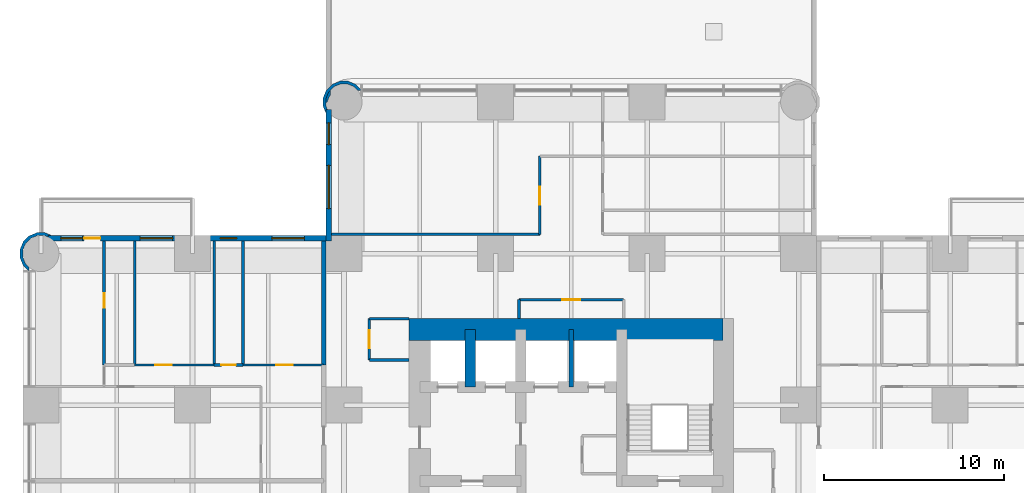
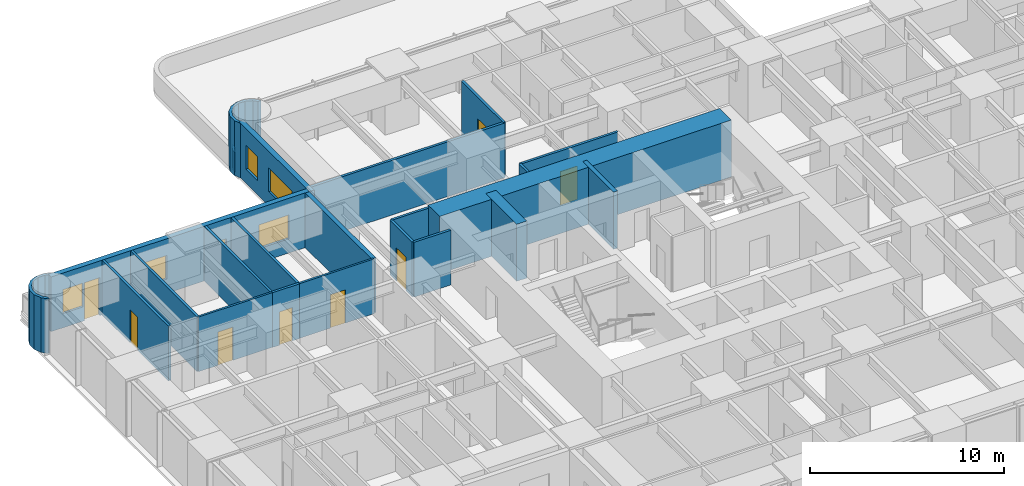
# One storey, part 10 of 14: 23 walls, 8 doors, 6 windows, 14 openings.
"""IFC4 building model written with IfcOpenShell, lengths in metres."""

from ifc_helpers import new_model, si_unit, direction, frame, frame_2d, origin, place, context, subcontext, project, spatial, polyline, rectangle, outline, extrude, material, layer, layer_set, type_object, element, fill, save


model = new_model("IFC4")

# Units and contexts
model_context = context("Model", 3, precision=1e-05, world=origin(), true_north=direction((0.0, 1.0)))
body_context = subcontext(model_context, "Body", "Model", "MODEL_VIEW")
ifc_project = project(units=[si_unit("LENGTHUNIT", "METRE"), si_unit("AREAUNIT", "SQUARE_METRE"), si_unit("VOLUMEUNIT", "CUBIC_METRE"), si_unit("PLANEANGLEUNIT", "RADIAN"), si_unit("MASSUNIT", "GRAM", prefix="KILO")], contexts=[model_context])

# Site, building, storey
site_placement = place(None, origin())
site = spatial("IfcSite", under=ifc_project, at=site_placement, CompositionType="ELEMENT")
building_placement = place(site_placement, origin())
building = spatial("IfcBuilding", under=site, at=building_placement, Name="Torre Alcanfor", CompositionType="ELEMENT")
storey_placement = place(building_placement, frame((0.0, 0.0, 108.89990234375)))
storey = spatial("IfcBuildingStorey", under=building, at=storey_placement, Name="L27", CompositionType="ELEMENT", Elevation=108.89990234375)

# Wall
ifc_material_1 = material(Name="Concrete block masonry, hollow blocks NMX-C-404 9 MPa", Category="masonry")
ifc_layer_1 = layer(ifc_material_1, 0.25)
ifc_layer_set_1 = layer_set([ifc_layer_1], Name="Apartment entrance wall 250 EI 60")
wall_type_1 = type_object("IfcWallType", Name="Apartment entrance wall 250 EI 60", PredefinedType="PARTITIONING", material=ifc_layer_set_1)
wall_1_placement = place(storey_placement, frame((15.675048828125, 35.8291015625, 0.0), z_axis=(0.0, 0.0, 1.0), x_axis=(0.0, 1.0, 0.0)))
element("IfcWall", 1, at=wall_1_placement, inside=storey, type_object=wall_type_1, Name="Partition L27-CORR / L27-W2-BED3", PredefinedType="PARTITIONING", context=body_context, shape_type="SweptSolid", body=[
    extrude(rectangle(XDim=6.870849609375, YDim=0.25, at=frame_2d((3.435546875, 0.0))), origin(), (0.0, 0.0, 1.0), 3.4501953125),
])

# Wall, opening, door
ifc_material_2 = material(Name="Gypsum board on steel studs", Category="steel")
ifc_layer_2 = layer(ifc_material_2, 0.1201171875)
ifc_layer_set_2 = layer_set([ifc_layer_2], Name="Apartment partition 120")
wall_type_2 = type_object("IfcWallType", Name="Apartment partition 120", PredefinedType="PARTITIONING", material=ifc_layer_set_2)
wall_2_placement = place(storey_placement, frame((11.199951171875, 35.8291015625, 0.0), z_axis=(0.0, 0.0, 1.0), x_axis=(1.0, 0.0, 0.0)))
wall_2 = element("IfcWall", 2, at=wall_2_placement, inside=storey, type_object=wall_type_2, Name="Partition L27-W2-HALL / L27-W2-BED3", PredefinedType="PARTITIONING", context=body_context, shape_type="SweptSolid", body=[
    extrude(rectangle(XDim=4.47509765625, YDim=0.1201171875, at=frame_2d((2.237548828125, 0.0))), origin(), (0.0, 0.0, 1.0), 3.4501953125),
])
opening_1_placement = place(wall_2_placement, frame((1.85009765625, 0.0, 0.0)))
opening_1 = element("IfcOpeningElement", 3, at=opening_1_placement, cuts=wall_2, Name="Opening D-R1", PredefinedType="OPENING", context=body_context, shape_type="SweptSolid", body=[
    extrude(rectangle(XDim=0.89990234375, YDim=2.10009765625, at=frame_2d((0.449951171875, 1.050048828125))), frame((0.0, 0.070068359375, 0.0), z_axis=(0.0, -1.0, 0.0), x_axis=(1.0, 0.0, 0.0)), (0.0, 0.0, 1.0), 0.14013671875),
])
ifc_material_3 = material(Name="Timber", Category="wood")
door_type_1 = type_object("IfcDoorType", Name="Internal door 900x2100", OperationType="SINGLE_SWING_LEFT", PredefinedType="DOOR", material=ifc_material_3)
door_1_placement = place(opening_1_placement, origin())
door_1 = element("IfcDoor", 4, at=door_1_placement, inside=storey, type_object=door_type_1, Name="Door L27-W2 bed3", OperationType="SINGLE_SWING_RIGHT", OverallHeight=2.10009765625, OverallWidth=0.89990234375, PredefinedType="DOOR", context=body_context, shape_type="SweptSolid", body=[
    extrude(rectangle(XDim=0.89990234375, YDim=2.10009765625, at=frame_2d((0.449951171875, 1.050048828125))), frame((0.0, 0.02490234375, 0.0), z_axis=(0.0, -1.0, 0.0), x_axis=(1.0, 0.0, 0.0)), (0.0, 0.0, 1.0), 0.050048828125),
])
fill(opening_1, door_1)

wall_3_placement = place(storey_placement, frame((5.199951171875, 35.8291015625, 0.0), z_axis=(0.0, 0.0, 1.0), x_axis=(1.0, 0.0, 0.0)))
wall_3 = element("IfcWall", 5, at=wall_3_placement, inside=storey, type_object=wall_type_2, Name="Partition L27-W2-HALL / L27-W2-BED2", PredefinedType="PARTITIONING", context=body_context, shape_type="SweptSolid", body=[
    extrude(rectangle(XDim=4.400146484375, YDim=0.1201171875, at=frame_2d((2.2001953125, 0.0))), origin(), (0.0, 0.0, 1.0), 3.4501953125),
])
opening_2_placement = place(wall_3_placement, frame((1.14990234375, 0.0, 0.0)))
opening_2 = element("IfcOpeningElement", 6, at=opening_2_placement, cuts=wall_3, Name="Opening D-R1", PredefinedType="OPENING", context=body_context, shape_type="SweptSolid", body=[
    extrude(rectangle(XDim=0.89990234375, YDim=2.10009765625, at=frame_2d((0.449951171875, 1.050048828125))), frame((0.0, 0.070068359375, 0.0), z_axis=(0.0, -1.0, 0.0), x_axis=(1.0, 0.0, 0.0)), (0.0, 0.0, 1.0), 0.14013671875),
])
door_2_placement = place(opening_2_placement, origin())
door_2 = element("IfcDoor", 7, at=door_2_placement, inside=storey, type_object=door_type_1, Name="Door L27-W2 bed2", OperationType="SINGLE_SWING_LEFT", OverallHeight=2.10009765625, OverallWidth=0.89990234375, PredefinedType="DOOR", context=body_context, shape_type="SweptSolid", body=[
    extrude(rectangle(XDim=0.89990234375, YDim=2.10009765625, at=frame_2d((0.449951171875, 1.050048828125))), frame((0.0, 0.02490234375, 0.0), z_axis=(0.0, -1.0, 0.0), x_axis=(1.0, 0.0, 0.0)), (0.0, 0.0, 1.0), 0.050048828125),
])
fill(opening_2, door_2)

# Walls
ifc_material_4 = material(Name="Concrete f'c 70 MPa", Category="concrete")
ifc_layer_3 = layer(ifc_material_4, 0.60009765625)
ifc_layer_set_3 = layer_set([ifc_layer_3], Name="Core inner wall 600 f'c70")
wall_type_3 = type_object("IfcWallType", Name="Core inner wall 600 f'c70", PredefinedType="SHEAR", material=ifc_layer_set_3)
wall_4_placement = place(storey_placement, frame((23.800048828125, 34.60009765625, 0.0), z_axis=(0.0, 0.0, 1.0), x_axis=(0.0, 1.0, 0.0)))
element("IfcWall", 8, at=wall_4_placement, inside=storey, type_object=wall_type_3, Name="Core wall X238 L27", PredefinedType="SHEAR", context=body_context, shape_type="SweptSolid", body=[
    extrude(rectangle(XDim=3.199951171875, YDim=0.60009765625, at=frame_2d((1.60009765625, 0.0))), origin(), (0.0, 0.0, 1.0), 3.60009765625),
])
ifc_material_5 = material(Name="Concrete f'c 70 MPa", Category="concrete")
ifc_layer_4 = layer(ifc_material_5, 0.25)
ifc_layer_set_4 = layer_set([ifc_layer_4], Name="Core shaft wall 250 f'c70")
wall_type_4 = type_object("IfcWallType", Name="Core shaft wall 250 f'c70", PredefinedType="SHEAR", material=ifc_layer_set_4)
wall_5_placement = place(storey_placement, frame((29.39990234375, 34.60009765625, 0.0), z_axis=(0.0, 0.0, 1.0), x_axis=(0.0, 1.0, 0.0)))
element("IfcWall", 9, at=wall_5_placement, inside=storey, type_object=wall_type_4, Name="Core wall X294N L27", PredefinedType="SHEAR", context=body_context, shape_type="SweptSolid", body=[
    extrude(rectangle(XDim=3.199951171875, YDim=0.25, at=frame_2d((1.60009765625, 0.0))), origin(), (0.0, 0.0, 1.0), 3.60009765625),
])
ifc_material_6 = material(Name="Concrete f'c 70 MPa", Category="concrete")
ifc_layer_5 = layer(ifc_material_6, 1.199951171875)
ifc_layer_set_5 = layer_set([ifc_layer_5], Name="Core wall 1200 f'c70")
wall_type_5 = type_object("IfcWallType", Name="Core wall 1200 f'c70", PredefinedType="SHEAR", material=ifc_layer_set_5)
wall_6_placement = place(storey_placement, frame((37.800048828125, 37.800048828125, 0.0), z_axis=(0.0, 0.0, 1.0), x_axis=(-1.0, 0.0, 0.0)))
element("IfcWall", 10, at=wall_6_placement, inside=storey, type_object=wall_type_5, Name="Core wall OUT-N L27", PredefinedType="SHEAR", context=body_context, shape_type="SweptSolid", body=[
    extrude(rectangle(XDim=17.400146484375, YDim=1.199951171875, at=frame_2d((8.7001953125, 0.0))), origin(), (0.0, 0.0, 1.0), 3.60009765625),
])

# Wall, openings, door, windows
ifc_material_7 = material(Name="Limestone cladding", Category="masonry")
ifc_layer_6 = layer(ifc_material_7, 0.0400390625, Name="Facing")
ifc_material_8 = material(Name="Ventilated air cavity")
ifc_layer_7 = layer(ifc_material_8, 0.02001953125, ventilated=True, Name="Ventilated joint")
ifc_material_9 = material(Name="Mineral wool insulation", Category="insulation")
ifc_layer_8 = layer(ifc_material_9, 0.10009765625, Name="Insulation")
ifc_material_10 = material(Name="Concrete f'c 35 MPa", Category="concrete")
ifc_layer_9 = layer(ifc_material_10, 0.139892578125, Name="Backing")
ifc_layer_set_6 = layer_set([ifc_layer_6, ifc_layer_7, ifc_layer_8, ifc_layer_9], Name="External wall stone-clad 300")
wall_type_6 = type_object("IfcWallType", Name="External wall stone-clad 300", PredefinedType="SOLIDWALL", material=ifc_layer_set_6)
wall_7_placement = place(storey_placement, frame((15.800048828125, 42.85009765625, 0.0), z_axis=(0.0, 0.0, 1.0), x_axis=(-1.0, 0.0, 0.0)))
wall_7 = element("IfcWall", 11, at=wall_7_placement, inside=storey, type_object=wall_type_6, Name="External wall L27 1", PredefinedType="SOLIDWALL", context=body_context, shape_type="SweptSolid", body=[
    extrude(rectangle(XDim=15.400146484375, YDim=0.300048828125, at=frame_2d((7.7001953125, 0.0))), origin(), (0.0, 0.0, 1.0), 3.4501953125),
])
opening_3_placement = place(wall_7_placement, frame((1.199951171875, 0.0, 0.89990234375)))
opening_3 = element("IfcOpeningElement", 12, at=opening_3_placement, cuts=wall_7, Name="Opening W2", PredefinedType="OPENING", context=body_context, shape_type="SweptSolid", body=[
    extrude(rectangle(XDim=1.800048828125, YDim=1.5, at=frame_2d((0.89990234375, 0.75))), frame((0.0, 0.159912109375, 0.0), z_axis=(0.0, -1.0, 0.0), x_axis=(1.0, 0.0, 0.0)), (0.0, 0.0, 1.0), 0.320068359375),
])
opening_4_placement = place(wall_7_placement, frame((4.949951171875, 0.0, 1.5)))
opening_4 = element("IfcOpeningElement", 13, at=opening_4_placement, cuts=wall_7, Name="Opening W3", PredefinedType="OPENING", context=body_context, shape_type="SweptSolid", body=[
    extrude(rectangle(XDim=0.89990234375, YDim=0.699951171875, at=frame_2d((0.449951171875, 0.35009765625))), frame((0.0, 0.159912109375, 0.0), z_axis=(0.0, -1.0, 0.0), x_axis=(1.0, 0.0, 0.0)), (0.0, 0.0, 1.0), 0.320068359375),
])
opening_5_placement = place(wall_7_placement, frame((8.5, 0.0, 0.89990234375)))
opening_5 = element("IfcOpeningElement", 14, at=opening_5_placement, cuts=wall_7, Name="Opening W2", PredefinedType="OPENING", context=body_context, shape_type="SweptSolid", body=[
    extrude(rectangle(XDim=1.800048828125, YDim=1.5, at=frame_2d((0.89990234375, 0.75))), frame((0.0, 0.159912109375, 0.0), z_axis=(0.0, -1.0, 0.0), x_axis=(1.0, 0.0, 0.0)), (0.0, 0.0, 1.0), 0.320068359375),
])
opening_6_placement = place(wall_7_placement, frame((12.5, 0.0, 0.0)))
opening_6 = element("IfcOpeningElement", 15, at=opening_6_placement, cuts=wall_7, Name="Opening D-B1", PredefinedType="OPENING", context=body_context, shape_type="SweptSolid", body=[
    extrude(rectangle(XDim=0.89990234375, YDim=2.39990234375, at=frame_2d((0.449951171875, 1.199951171875))), frame((0.0, 0.159912109375, 0.0), z_axis=(0.0, -1.0, 0.0), x_axis=(1.0, 0.0, 0.0)), (0.0, 0.0, 1.0), 0.320068359375),
])
opening_7_placement = place(wall_7_placement, frame((13.5, 0.0, 0.89990234375)))
opening_7 = element("IfcOpeningElement", 16, at=opening_7_placement, cuts=wall_7, Name="Opening W4", PredefinedType="OPENING", context=body_context, shape_type="SweptSolid", body=[
    extrude(rectangle(XDim=1.199951171875, YDim=1.5, at=frame_2d((0.60009765625, 0.75))), frame((0.0, 0.159912109375, 0.0), z_axis=(0.0, -1.0, 0.0), x_axis=(1.0, 0.0, 0.0)), (0.0, 0.0, 1.0), 0.320068359375),
])
ifc_material_11 = material(Name="Aluminium and glass", Category="aluminium")
door_type_2 = type_object("IfcDoorType", Name="Balcony door glazed 900x2400", OperationType="SINGLE_SWING_LEFT", PredefinedType="DOOR", material=ifc_material_11)
door_3_placement = place(opening_6_placement, origin())
door_3 = element("IfcDoor", 17, at=door_3_placement, inside=storey, type_object=door_type_2, Name="Balcony door L27-W2", OperationType="SINGLE_SWING_LEFT", OverallHeight=2.39990234375, OverallWidth=0.89990234375, PredefinedType="DOOR", context=body_context, shape_type="SweptSolid", body=[
    extrude(rectangle(XDim=0.89990234375, YDim=2.39990234375, at=frame_2d((0.449951171875, 1.199951171875))), frame((0.0, 0.02490234375, 0.0), z_axis=(0.0, -1.0, 0.0), x_axis=(1.0, 0.0, 0.0)), (0.0, 0.0, 1.0), 0.050048828125),
])
fill(opening_6, door_3)
ifc_material_12 = material(Name="Aluminium frame with clear double glazing", Category="aluminium")
window_type_1 = type_object("IfcWindowType", Name="Window bathroom 900x700", PartitioningType="SINGLE_PANEL", PredefinedType="WINDOW", material=ifc_material_12)
window_1_placement = place(opening_4_placement, origin())
window_1 = element("IfcWindow", 18, at=window_1_placement, inside=storey, type_object=window_type_1, Name="Window W3 L27-W2", OverallHeight=0.699951171875, OverallWidth=0.89990234375, PartitioningType="SINGLE_PANEL", PredefinedType="WINDOW", context=body_context, shape_type="SweptSolid", body=[
    extrude(rectangle(XDim=0.89990234375, YDim=0.699951171875, at=frame_2d((0.449951171875, 0.35009765625))), frame((0.0, 0.030029296875, 0.0), z_axis=(0.0, -1.0, 0.0), x_axis=(1.0, 0.0, 0.0)), (0.0, 0.0, 1.0), 0.06005859375),
])
fill(opening_4, window_1)
ifc_material_13 = material(Name="Aluminium frame with clear double glazing", Category="aluminium")
window_type_2 = type_object("IfcWindowType", Name="Window bedroom 1200x1500", PartitioningType="SINGLE_PANEL", PredefinedType="WINDOW", material=ifc_material_13)
window_2_placement = place(opening_7_placement, origin())
window_2 = element("IfcWindow", 19, at=window_2_placement, inside=storey, type_object=window_type_2, Name="Window W4 L27-W2", OverallHeight=1.5, OverallWidth=1.199951171875, PartitioningType="SINGLE_PANEL", PredefinedType="WINDOW", context=body_context, shape_type="SweptSolid", body=[
    extrude(rectangle(XDim=1.199951171875, YDim=1.5, at=frame_2d((0.60009765625, 0.75))), frame((0.0, 0.030029296875, 0.0), z_axis=(0.0, -1.0, 0.0), x_axis=(1.0, 0.0, 0.0)), (0.0, 0.0, 1.0), 0.06005859375),
])
fill(opening_7, window_2)
ifc_material_14 = material(Name="Aluminium frame with clear double glazing", Category="aluminium")
window_type_3 = type_object("IfcWindowType", Name="Window bedroom 1800x1500", PartitioningType="SINGLE_PANEL", PredefinedType="WINDOW", material=ifc_material_14)
window_3_placement = place(opening_3_placement, origin())
window_3 = element("IfcWindow", 20, at=window_3_placement, inside=storey, type_object=window_type_3, Name="Window W2 L27-W2", OverallHeight=1.5, OverallWidth=1.800048828125, PartitioningType="SINGLE_PANEL", PredefinedType="WINDOW", context=body_context, shape_type="SweptSolid", body=[
    extrude(rectangle(XDim=1.800048828125, YDim=1.5, at=frame_2d((0.89990234375, 0.75))), frame((0.0, 0.030029296875, 0.0), z_axis=(0.0, -1.0, 0.0), x_axis=(1.0, 0.0, 0.0)), (0.0, 0.0, 1.0), 0.06005859375),
])
fill(opening_3, window_3)
window_4_placement = place(opening_5_placement, origin())
window_4 = element("IfcWindow", 21, at=window_4_placement, inside=storey, type_object=window_type_3, Name="Window W2 L27-W2", OverallHeight=1.5, OverallWidth=1.800048828125, PartitioningType="SINGLE_PANEL", PredefinedType="WINDOW", context=body_context, shape_type="SweptSolid", body=[
    extrude(rectangle(XDim=1.800048828125, YDim=1.5, at=frame_2d((0.89990234375, 0.75))), frame((0.0, 0.030029296875, 0.0), z_axis=(0.0, -1.0, 0.0), x_axis=(1.0, 0.0, 0.0)), (0.0, 0.0, 1.0), 0.06005859375),
])
fill(opening_5, window_4)

# Wall, openings, windows
wall_8_placement = place(storey_placement, frame((15.949951171875, 50.0, 0.0), z_axis=(0.0, 0.0, 1.0), x_axis=(0.0, -1.0, 0.0)))
wall_8 = element("IfcWall", 22, at=wall_8_placement, inside=storey, type_object=wall_type_6, Name="External wall L27 12", PredefinedType="SOLIDWALL", context=body_context, shape_type="SweptSolid", body=[
    extrude(rectangle(XDim=7.300048828125, YDim=0.300048828125, at=frame_2d((3.64990234375, 0.0))), origin(), (0.0, 0.0, 1.0), 3.4501953125),
])
opening_8_placement = place(wall_8_placement, frame((3.10009765625, 0.0, 0.89990234375)))
opening_8 = element("IfcOpeningElement", 23, at=opening_8_placement, cuts=wall_8, Name="Opening W1", PredefinedType="OPENING", context=body_context, shape_type="SweptSolid", body=[
    extrude(rectangle(XDim=2.39990234375, YDim=1.5, at=frame_2d((1.199951171875, 0.75))), frame((0.0, 0.159912109375, 0.0), z_axis=(0.0, -1.0, 0.0), x_axis=(1.0, 0.0, 0.0)), (0.0, 0.0, 1.0), 0.320068359375),
])
opening_9_placement = place(wall_8_placement, frame((0.75, 0.0, 0.89990234375)))
opening_9 = element("IfcOpeningElement", 24, at=opening_9_placement, cuts=wall_8, Name="Opening W4", PredefinedType="OPENING", context=body_context, shape_type="SweptSolid", body=[
    extrude(rectangle(XDim=1.199951171875, YDim=1.5, at=frame_2d((0.60009765625, 0.75))), frame((0.0, 0.159912109375, 0.0), z_axis=(0.0, -1.0, 0.0), x_axis=(1.0, 0.0, 0.0)), (0.0, 0.0, 1.0), 0.320068359375),
])
window_5_placement = place(opening_9_placement, origin())
window_5 = element("IfcWindow", 25, at=window_5_placement, inside=storey, type_object=window_type_2, Name="Window W4 L27-N1", OverallHeight=1.5, OverallWidth=1.199951171875, PartitioningType="SINGLE_PANEL", PredefinedType="WINDOW", context=body_context, shape_type="SweptSolid", body=[
    extrude(rectangle(XDim=1.199951171875, YDim=1.5, at=frame_2d((0.60009765625, 0.75))), frame((0.0, 0.030029296875, 0.0), z_axis=(0.0, -1.0, 0.0), x_axis=(1.0, 0.0, 0.0)), (0.0, 0.0, 1.0), 0.06005859375),
])
fill(opening_9, window_5)
ifc_material_15 = material(Name="Aluminium frame with clear double glazing", Category="aluminium")
window_type_4 = type_object("IfcWindowType", Name="Window bedroom 2400x1500", PartitioningType="SINGLE_PANEL", PredefinedType="WINDOW", material=ifc_material_15)
window_6_placement = place(opening_8_placement, origin())
window_6 = element("IfcWindow", 26, at=window_6_placement, inside=storey, type_object=window_type_4, Name="Window W1 L27-N1", OverallHeight=1.5, OverallWidth=2.39990234375, PartitioningType="SINGLE_PANEL", PredefinedType="WINDOW", context=body_context, shape_type="SweptSolid", body=[
    extrude(rectangle(XDim=2.39990234375, YDim=1.5, at=frame_2d((1.199951171875, 0.75))), frame((0.0, 0.030029296875, 0.0), z_axis=(0.0, -1.0, 0.0), x_axis=(1.0, 0.0, 0.0)), (0.0, 0.0, 1.0), 0.06005859375),
])
fill(opening_8, window_6)

# Wall
ifc_layer_10 = layer(ifc_material_7, 0.0400390625, Name="Facing")
ifc_layer_11 = layer(ifc_material_8, 0.02001953125, ventilated=True, Name="Ventilated joint")
ifc_layer_12 = layer(ifc_material_10, 0.18994140625, Name="Backing")
ifc_layer_set_7 = layer_set([ifc_layer_10, ifc_layer_11, ifc_layer_12], Name="Parapet stone-clad 250")
wall_type_7 = type_object("IfcWallType", Name="Parapet stone-clad 250", PredefinedType="PARAPET", material=ifc_layer_set_7)
wall_9_placement = place(storey_placement, origin())
element("IfcWall", 27, at=wall_9_placement, inside=storey, type_object=wall_type_7, Name="Parapet L27 2", PredefinedType="PARAPET", context=body_context, shape_type="SweptSolid", body=[
    extrude(outline(polyline([(15.987548828125, 50.699951171875), (15.85400390625, 50.377197265625), (15.800048828125, 50.377197265625), (15.800048828125, 50.6015625), (15.951416015625, 50.967041015625), (16.06005859375, 51.07568359375), (16.06005859375, 50.794189453125), (15.987548828125, 50.699951171875)])), origin(), (0.0, 0.0, 1.0), 1.25),
])

# Wall, opening, door
ifc_material_16 = material(Name="Concrete block masonry, hollow blocks NMX-C-404 9 MPa", Category="masonry")
ifc_layer_13 = layer(ifc_material_16, 0.14990234375)
ifc_layer_set_8 = layer_set([ifc_layer_13], Name="Residents' room partition 150")
wall_type_8 = type_object("IfcWallType", Name="Residents' room partition 150", PredefinedType="PARTITIONING", material=ifc_layer_set_8)
wall_10_placement = place(storey_placement, frame((32.300048828125, 39.449951171875, 0.0), z_axis=(0.0, 0.0, 1.0), x_axis=(-1.0, 0.0, 0.0)))
wall_10 = element("IfcWall", 28, at=wall_10_placement, inside=storey, type_object=wall_type_8, Name="Partition L27-CORR / L27-G01", PredefinedType="PARTITIONING", context=body_context, shape_type="SweptSolid", body=[
    extrude(rectangle(XDim=5.800048828125, YDim=0.14990234375, at=frame_2d((2.89990234375, 0.0))), origin(), (0.0, 0.0, 1.0), 3.4501953125),
])
opening_10_placement = place(wall_10_placement, frame((2.39990234375, 0.0, 0.0)))
opening_10 = element("IfcOpeningElement", 29, at=opening_10_placement, cuts=wall_10, Name="Opening D-M1", PredefinedType="OPENING", context=body_context, shape_type="SweptSolid", body=[
    extrude(rectangle(XDim=1.0, YDim=2.10009765625, at=frame_2d((0.5, 1.050048828125))), frame((0.0, 0.0849609375, 0.0), z_axis=(0.0, -1.0, 0.0), x_axis=(1.0, 0.0, 0.0)), (0.0, 0.0, 1.0), 0.169921875),
])
ifc_material_17 = material(Name="Timber", Category="wood")
door_type_3 = type_object("IfcDoorType", Name="Residents' room door 1000x2100", OperationType="SINGLE_SWING_LEFT", PredefinedType="DOOR", material=ifc_material_17)
door_4_placement = place(opening_10_placement, origin())
door_4 = element("IfcDoor", 30, at=door_4_placement, inside=storey, type_object=door_type_3, Name="Door L27-G01 pram and buggy store", OperationType="SINGLE_SWING_LEFT", OverallHeight=2.10009765625, OverallWidth=1.0, PredefinedType="DOOR", context=body_context, shape_type="SweptSolid", body=[
    extrude(rectangle(XDim=1.0, YDim=2.10009765625, at=frame_2d((0.5, 1.050048828125))), frame((0.0, 0.02490234375, 0.0), z_axis=(0.0, -1.0, 0.0), x_axis=(1.0, 0.0, 0.0)), (0.0, 0.0, 1.0), 0.050048828125),
])
fill(opening_10, door_4)

# Walls
wall_11_placement = place(storey_placement, frame((26.5, 39.449951171875, 0.0), z_axis=(0.0, 0.0, 1.0), x_axis=(0.0, -1.0, 0.0)))
element("IfcWall", 31, at=wall_11_placement, inside=storey, type_object=wall_type_8, Name="Partition L27-CORR / L27-G01", PredefinedType="PARTITIONING", context=body_context, shape_type="SweptSolid", body=[
    extrude(rectangle(XDim=1.050048828125, YDim=0.14990234375, at=frame_2d((0.52490234375, 0.0))), origin(), (0.0, 0.0, 1.0), 3.4501953125),
])
wall_12_placement = place(storey_placement, frame((20.39990234375, 38.39990234375, 0.0), z_axis=(0.0, 0.0, 1.0), x_axis=(-1.0, 0.0, 0.0)))
element("IfcWall", 32, at=wall_12_placement, inside=storey, type_object=wall_type_8, Name="Partition L27-CORR / L27-G05", PredefinedType="PARTITIONING", context=body_context, shape_type="SweptSolid", body=[
    extrude(rectangle(XDim=2.199951171875, YDim=0.14990234375, at=frame_2d((1.10009765625, 0.0))), origin(), (0.0, 0.0, 1.0), 3.4501953125),
])

# Wall, opening, door
wall_13_placement = place(storey_placement, frame((18.199951171875, 38.39990234375, 0.0), z_axis=(0.0, 0.0, 1.0), x_axis=(0.0, -1.0, 0.0)))
wall_13 = element("IfcWall", 33, at=wall_13_placement, inside=storey, type_object=wall_type_8, Name="Partition L27-CORR / L27-G05", PredefinedType="PARTITIONING", context=body_context, shape_type="SweptSolid", body=[
    extrude(rectangle(XDim=2.2998046875, YDim=0.14990234375, at=frame_2d((1.14990234375, 0.0))), origin(), (0.0, 0.0, 1.0), 3.4501953125),
])
opening_11_placement = place(wall_13_placement, frame((0.64990234375, 0.0, 0.0)))
opening_11 = element("IfcOpeningElement", 34, at=opening_11_placement, cuts=wall_13, Name="Opening D-M1", PredefinedType="OPENING", context=body_context, shape_type="SweptSolid", body=[
    extrude(rectangle(XDim=1.0, YDim=2.10009765625, at=frame_2d((0.5, 1.050048828125))), frame((0.0, 0.0849609375, 0.0), z_axis=(0.0, -1.0, 0.0), x_axis=(1.0, 0.0, 0.0)), (0.0, 0.0, 1.0), 0.169921875),
])
door_5_placement = place(opening_11_placement, origin())
door_5 = element("IfcDoor", 35, at=door_5_placement, inside=storey, type_object=door_type_3, Name="Door L27-G05 parcel room", OperationType="SINGLE_SWING_LEFT", OverallHeight=2.10009765625, OverallWidth=1.0, PredefinedType="DOOR", context=body_context, shape_type="SweptSolid", body=[
    extrude(rectangle(XDim=1.0, YDim=2.10009765625, at=frame_2d((0.5, 1.050048828125))), frame((0.0, 0.02490234375, 0.0), z_axis=(0.0, -1.0, 0.0), x_axis=(1.0, 0.0, 0.0)), (0.0, 0.0, 1.0), 0.050048828125),
])
fill(opening_11, door_5)

# Walls
wall_14_placement = place(storey_placement, frame((18.199951171875, 36.10009765625, 0.0), z_axis=(0.0, 0.0, 1.0), x_axis=(1.0, 0.0, 0.0)))
element("IfcWall", 36, at=wall_14_placement, inside=storey, type_object=wall_type_8, Name="Partition L27-CORR / L27-G05", PredefinedType="PARTITIONING", context=body_context, shape_type="SweptSolid", body=[
    extrude(rectangle(XDim=2.199951171875, YDim=0.14990234375, at=frame_2d((1.10009765625, 0.0))), origin(), (0.0, 0.0, 1.0), 3.4501953125),
])
wall_15_placement = place(storey_placement, frame((16.10009765625, 43.074951171875, 0.0), z_axis=(0.0, 0.0, 1.0), x_axis=(1.0, 0.0, 0.0)))
element("IfcWall", 37, at=wall_15_placement, inside=storey, type_object=wall_type_8, Name="Partition L27-CORR / L27-N-LOUNGE", PredefinedType="PARTITIONING", context=body_context, shape_type="SweptSolid", body=[
    extrude(rectangle(XDim=11.556884765625, YDim=0.14990234375, at=frame_2d((5.7783203125, 0.0))), origin(), (0.0, 0.0, 1.0), 3.4501953125),
])

# Wall, opening, door
wall_16_placement = place(storey_placement, frame((27.656982421875, 47.39990234375, 0.0), z_axis=(0.0, 0.0, 1.0), x_axis=(0.0, -1.0, 0.0)))
wall_16 = element("IfcWall", 38, at=wall_16_placement, inside=storey, type_object=wall_type_8, Name="Partition L27-N-ACORR / L27-N-LOUNGE", PredefinedType="PARTITIONING", context=body_context, shape_type="SweptSolid", body=[
    extrude(rectangle(XDim=4.324951171875, YDim=0.14990234375, at=frame_2d((2.16259765625, 0.0))), origin(), (0.0, 0.0, 1.0), 3.4501953125),
])
opening_12_placement = place(wall_16_placement, frame((1.699951171875, 0.0, 0.0)))
opening_12 = element("IfcOpeningElement", 39, at=opening_12_placement, cuts=wall_16, Name="Opening D-M1", PredefinedType="OPENING", context=body_context, shape_type="SweptSolid", body=[
    extrude(rectangle(XDim=1.0, YDim=2.10009765625, at=frame_2d((0.5, 1.050048828125))), frame((0.0, 0.0849609375, 0.0), z_axis=(0.0, -1.0, 0.0), x_axis=(1.0, 0.0, 0.0)), (0.0, 0.0, 1.0), 0.169921875),
])
door_6_placement = place(opening_12_placement, frame((1.0, 0.0, 0.0), z_axis=(0.0, 0.0, 1.0), x_axis=(-1.0, 0.0, 0.0)))
door_6 = element("IfcDoor", 40, at=door_6_placement, inside=storey, type_object=door_type_3, Name="Door L27 N lounge", OperationType="SINGLE_SWING_LEFT", OverallHeight=2.10009765625, OverallWidth=1.0, PredefinedType="DOOR", context=body_context, shape_type="SweptSolid", body=[
    extrude(rectangle(XDim=1.0, YDim=2.10009765625, at=frame_2d((0.5, 1.050048828125))), frame((0.0, 0.025146484375, 0.0), z_axis=(0.0, -1.0, 0.0), x_axis=(1.0, 0.0, 0.0)), (0.0, 0.0, 1.0), 0.050048828125),
])
fill(opening_12, door_6)

# Walls
ifc_layer_14 = layer(ifc_material_7, 0.0400390625, Name="Facing")
ifc_layer_15 = layer(ifc_material_8, 0.02001953125, ventilated=True, Name="Ventilated joint")
ifc_layer_16 = layer(ifc_material_9, 0.10009765625, Name="Insulation")
ifc_layer_17 = layer(ifc_material_10, 0.139892578125, Name="Backing")
ifc_layer_set_9 = layer_set([ifc_layer_14, ifc_layer_15, ifc_layer_16, ifc_layer_17], Name="Rounded corner pier stone-clad 300")
wall_type_9 = type_object("IfcWallType", Name="Rounded corner pier stone-clad 300", PredefinedType="SOLIDWALL", material=ifc_layer_set_9)
wall_17_placement = place(storey_placement, frame((0.56710175, 42.919127633, 0.0), z_axis=(0.0, 0.0, 1.0), x_axis=(-0.831199417842, 0.555974394895, 0.0)))
element("IfcWall", 41, at=wall_17_placement, inside=storey, type_object=wall_type_9, Name="Corner pier L27 13", PredefinedType="SOLIDWALL", context=body_context, shape_type="SweptSolid", body=[
    extrude(outline(polyline([(0.0035346486096882596, -0.09493172298277563), (0.4134762276337793, -0.013116324048090655), (0.7970130683862647, 0.2434245954711461), (1.0531909726939004, 0.6271376014735981), (1.1430288280848282, 1.0799333504065571), (1.0527519446898332, 1.532385418536847), (0.7962110251705964, 1.9159222592893324), (0.41249801916814444, 2.1721001635969683), (0.017275402111477822, 2.2505151054378154), (-0.02310757741748759, 2.223503654123356), (0.074893768557586, 2.0769885223649993), (0.3505674706005393, 2.0222929245428487), (0.6816138269103391, 1.8013802534353145), (0.9031348748761563, 1.470199235388724), (0.9809251585620924, 1.0798881158367415), (0.903383733639781, 0.6890681500412033), (0.6824710625322469, 0.3580217937314035), (0.35129004448565626, 0.13650074576558635), (0.12607933250637846, 0.09160085349504563), (0.1839390144451166, 0.025737524346643142), (0.0035346486096882596, -0.09493172298277563)])), origin(), (0.0, 0.0, 1.0), 3.4501953125),
])
wall_18_placement = place(storey_placement, frame((17.667523535, 51.043275148, 0.0), z_axis=(0.0, 0.0, 1.0), x_axis=(-0.555974394895, 0.831199417842, 0.0)))
element("IfcWall", 42, at=wall_18_placement, inside=storey, type_object=wall_type_9, Name="Corner pier L27 20", PredefinedType="SOLIDWALL", context=body_context, shape_type="SweptSolid", body=[
    extrude(outline(polyline([(0.004434812135092517, -0.09249942278334729), (0.39965742919175906, -0.014084480942500088), (0.7835733647395828, 0.24195768742888202), (1.0401142842588196, 0.6254945281813674), (1.1303239740446964, 1.0782852617932823), (1.0405533122628867, 1.5307423452446163), (0.784308214346133, 1.9147940167286936), (0.40077137359364756, 2.1713349362479306), (-0.009305941366697157, 2.2529474056372436), (0.17109842446873125, 2.132278158307825), (0.11323874252999311, 2.0664148291594224), (0.3386523840546425, 2.0213792009526284), (0.6696304725558614, 1.7999938889230647), (0.8907460732087672, 1.4688117966770113), (0.9682203045219607, 1.0783304963630982), (0.8902942848997708, 0.687816447265744), (0.6689089728702073, 0.3568383587645251), (0.337726880624154, 0.13572275811161938), (0.06225610812657231, 0.08089142435321534), (-0.0357452378485012, -0.06562370740514153), (0.004434812135092517, -0.09249942278334729)])), origin(), (0.0, 0.0, 1.0), 3.4501953125),
])

# Wall, opening, door
ifc_material_18 = material(Name="Cement board on steel studs", Category="steel")
ifc_layer_18 = layer(ifc_material_18, 0.14990234375)
ifc_layer_set_10 = layer_set([ifc_layer_18], Name="Wet area partition 150")
wall_type_10 = type_object("IfcWallType", Name="Wet area partition 150", PredefinedType="PARTITIONING", material=ifc_layer_set_10)
wall_19_placement = place(storey_placement, frame((9.60009765625, 35.8291015625, 0.0), z_axis=(0.0, 0.0, 1.0), x_axis=(1.0, 0.0, 0.0)))
wall_19 = element("IfcWall", 43, at=wall_19_placement, inside=storey, type_object=wall_type_10, Name="Partition L27-W2-HALL / L27-W2-BATH1", PredefinedType="PARTITIONING", context=body_context, shape_type="SweptSolid", body=[
    extrude(rectangle(XDim=1.599853515625, YDim=0.14990234375, at=frame_2d((0.7998046875, 0.0))), origin(), (0.0, 0.0, 1.0), 3.4501953125),
])
opening_13_placement = place(wall_19_placement, frame((0.39990234375, 0.0, 0.0)))
opening_13 = element("IfcOpeningElement", 44, at=opening_13_placement, cuts=wall_19, Name="Opening D-R2", PredefinedType="OPENING", context=body_context, shape_type="SweptSolid", body=[
    extrude(rectangle(XDim=0.800048828125, YDim=2.10009765625, at=frame_2d((0.39990234375, 1.050048828125))), frame((0.0, 0.0849609375, 0.0), z_axis=(0.0, -1.0, 0.0), x_axis=(1.0, 0.0, 0.0)), (0.0, 0.0, 1.0), 0.169921875),
])
ifc_material_19 = material(Name="Timber", Category="wood")
door_type_4 = type_object("IfcDoorType", Name="Bathroom door 800x2100", OperationType="SINGLE_SWING_LEFT", PredefinedType="DOOR", material=ifc_material_19)
door_7_placement = place(opening_13_placement, origin())
door_7 = element("IfcDoor", 45, at=door_7_placement, inside=storey, type_object=door_type_4, Name="Door L27-W2 bath1", OperationType="SINGLE_SWING_LEFT", OverallHeight=2.10009765625, OverallWidth=0.800048828125, PredefinedType="DOOR", context=body_context, shape_type="SweptSolid", body=[
    extrude(rectangle(XDim=0.800048828125, YDim=2.10009765625, at=frame_2d((0.39990234375, 1.050048828125))), frame((0.0, 0.02490234375, 0.0), z_axis=(0.0, -1.0, 0.0), x_axis=(1.0, 0.0, 0.0)), (0.0, 0.0, 1.0), 0.050048828125),
])
fill(opening_13, door_7)

# Walls
for number, where, z_axis, x_axis, name in (
    (46, (11.199951171875, 35.8291015625, 0.0), (0.0, 0.0, 1.0), (0.0, 1.0, 0.0), "Partition L27-W2-BED3 / L27-W2-BATH1"),
    (47, (9.60009765625, 35.8291015625, 0.0), (0.0, 0.0, 1.0), (0.0, 1.0, 0.0), "Partition L27-W2-BATH1 / L27-W2-BED2"),
    (48, (5.199951171875, 35.8291015625, 0.0), (0.0, 0.0, 1.0), (0.0, 1.0, 0.0), "Partition L27-W2-BED2 / L27-W2-ENSBATH"),
):
    element("IfcWall", number, at=place(storey_placement, frame(where, z_axis=z_axis, x_axis=x_axis)), inside=storey, type_object=wall_type_10, Name=name, PredefinedType="PARTITIONING", context=body_context, shape_type="SweptSolid", body=[
        extrude(rectangle(XDim=6.870849609375, YDim=0.14990234375, at=frame_2d((3.435546875, 0.0))), origin(), (0.0, 0.0, 1.0), 3.4501953125),
    ])

# Wall, opening, door
wall_20_placement = place(storey_placement, frame((3.5, 35.8291015625, 0.0), z_axis=(0.0, 0.0, 1.0), x_axis=(0.0, 1.0, 0.0)))
wall_20 = element("IfcWall", 49, at=wall_20_placement, inside=storey, type_object=wall_type_10, Name="Partition L27-W2-ENSBATH / L27-W2-MASTER", PredefinedType="PARTITIONING", context=body_context, shape_type="SweptSolid", body=[
    extrude(rectangle(XDim=6.870849609375, YDim=0.14990234375, at=frame_2d((3.435546875, 0.0))), origin(), (0.0, 0.0, 1.0), 3.4501953125),
])
opening_14_placement = place(wall_20_placement, frame((3.1708984375, 0.0, 0.0)))
opening_14 = element("IfcOpeningElement", 50, at=opening_14_placement, cuts=wall_20, Name="Opening D-R2", PredefinedType="OPENING", context=body_context, shape_type="SweptSolid", body=[
    extrude(rectangle(XDim=0.800048828125, YDim=2.10009765625, at=frame_2d((0.39990234375, 1.050048828125))), frame((0.0, 0.0849609375, 0.0), z_axis=(0.0, -1.0, 0.0), x_axis=(1.0, 0.0, 0.0)), (0.0, 0.0, 1.0), 0.169921875),
])
door_8_placement = place(opening_14_placement, frame((0.800048828125, 0.0, 0.0), z_axis=(0.0, 0.0, 1.0), x_axis=(-1.0, 0.0, 0.0)))
door_8 = element("IfcDoor", 51, at=door_8_placement, inside=storey, type_object=door_type_4, Name="Door L27-W2 ensbath", OperationType="SINGLE_SWING_LEFT", OverallHeight=2.10009765625, OverallWidth=0.800048828125, PredefinedType="DOOR", context=body_context, shape_type="SweptSolid", body=[
    extrude(rectangle(XDim=0.800048828125, YDim=2.10009765625, at=frame_2d((0.400146484375, 1.050048828125))), frame((0.0, 0.025146484375, 0.0), z_axis=(0.0, -1.0, 0.0), x_axis=(1.0, 0.0, 0.0)), (0.0, 0.0, 1.0), 0.050048828125),
])
fill(opening_14, door_8)

save(model, "model.ifc")
